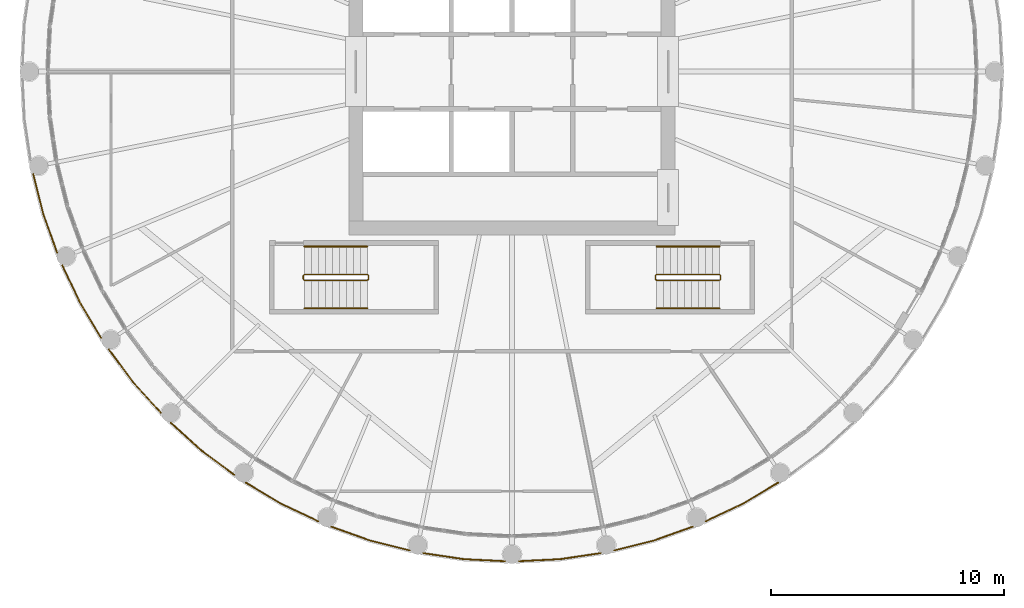
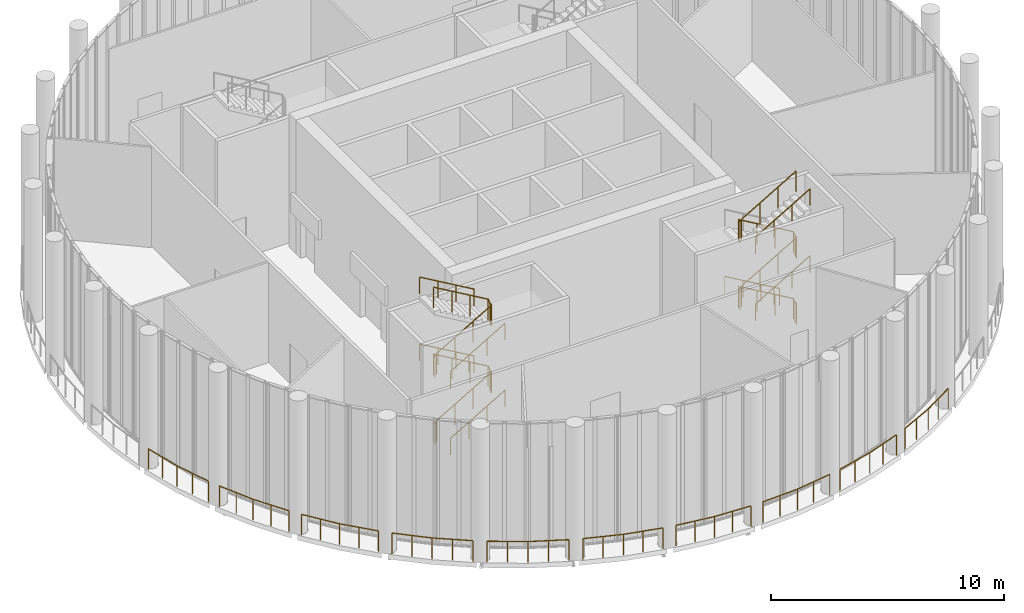
# One storey, part 19 of 21: 19 railings.
"""IFC4 building model written with IfcOpenShell, lengths in metres."""

from ifc_helpers import new_model, si_unit, direction, frame, origin, origin_2d, place, context, subcontext, project, spatial, circle, extrude, material, type_object, element, save


model = new_model("IFC4")

# Units and contexts
model_context = context("Model", 3, precision=1e-05, world=origin(), true_north=direction((0.0, 1.0)))
body_context = subcontext(model_context, "Body", "Model", "MODEL_VIEW")
ifc_project = project(units=[si_unit("LENGTHUNIT", "METRE"), si_unit("AREAUNIT", "SQUARE_METRE"), si_unit("VOLUMEUNIT", "CUBIC_METRE"), si_unit("PLANEANGLEUNIT", "RADIAN"), si_unit("MASSUNIT", "GRAM", prefix="KILO")], contexts=[model_context])

# Site, building, storey
site_placement = place(None, origin())
site = spatial("IfcSite", under=ifc_project, at=site_placement, CompositionType="ELEMENT")
building_placement = place(site_placement, origin())
building = spatial("IfcBuilding", under=site, at=building_placement, Name="Corvane Civic Tower", CompositionType="ELEMENT")
storey_placement = place(building_placement, frame((0.0, 0.0, 380.5)))
storey = spatial("IfcBuildingStorey", under=building, at=storey_placement, Name="L91", CompositionType="ELEMENT", Elevation=380.5)

# Railings
ifc_material_1 = material(Name="Steel ASTM A572 Gr 50", Category="steel")
railing_type_1 = type_object("IfcRailingType", Name="PODIUM-RL-GUARD-1100", PredefinedType="GUARDRAIL", material=ifc_material_1)
railing_1_placement = place(storey_placement, frame((0.29833984375, -20.995361328125, 0.0)))
element("IfcRailing", 1, at=railing_1_placement, inside=storey, type_object=railing_type_1, Name="Lookout gallery guard 1", PredefinedType="GUARDRAIL", context=body_context, shape_type="SweptSolid", body=[
    extrude(circle(Radius=0.02392578125, at=origin_2d()), frame((0.0, 0.0, 1.076171875), z_axis=(0.998797843582, 0.049019054017, 0.0), x_axis=(-0.049019054017, 0.998797843582, 0.0)), (0.0, 0.0, 1.0), 1.76318359375),
    extrude(circle(Radius=0.02392578125, at=origin_2d()), frame((1.760986328125, 0.08642578125, 1.076171875), z_axis=(0.989159575283, 0.146844593448, 0.0), x_axis=(-0.146844593448, 0.989159575283, 0.0)), (0.0, 0.0, 1.0), 1.763916015625),
    extrude(circle(Radius=0.02099609375, at=origin_2d()), origin(), (0.0, 0.0, 1.0), 1.052001953125),
    extrude(circle(Radius=0.02099609375, at=origin_2d()), frame((0.88037109375, 0.043212890625, 0.0)), (0.0, 0.0, 1.0), 1.052001953125),
    extrude(circle(Radius=0.02099609375, at=origin_2d()), frame((1.760986328125, 0.08642578125, 0.0)), (0.0, 0.0, 1.0), 1.052001953125),
    extrude(circle(Radius=0.02099609375, at=origin_2d()), frame((2.63330078125, 0.2158203125, 0.0)), (0.0, 0.0, 1.0), 1.052001953125),
    extrude(circle(Radius=0.02099609375, at=origin_2d()), frame((3.505859375, 0.345458984375, 0.0)), (0.0, 0.0, 1.0), 1.052001953125),
])
railing_2_placement = place(storey_placement, frame((-3.80419921875, -20.64990234375, 0.0)))
element("IfcRailing", 2, at=railing_2_placement, inside=storey, type_object=railing_type_1, Name="Lookout gallery guard 2", PredefinedType="GUARDRAIL", context=body_context, shape_type="SweptSolid", body=[
    extrude(circle(Radius=0.02392578125, at=origin_2d()), frame((0.0, 0.0, 1.076171875), z_axis=(0.989159575283, -0.146844593448, 0.0), x_axis=(0.146844593448, 0.989159575283, 0.0)), (0.0, 0.0, 1.0), 1.763916015625),
    extrude(circle(Radius=0.02392578125, at=origin_2d()), frame((1.744873046875, -0.259033203125, 1.076171875), z_axis=(0.998797843582, -0.049019054017, 0.0), x_axis=(0.049019054017, 0.998797843582, 0.0)), (0.0, 0.0, 1.0), 1.76318359375),
    extrude(circle(Radius=0.02099609375, at=origin_2d()), origin(), (0.0, 0.0, 1.0), 1.052001953125),
    extrude(circle(Radius=0.02099609375, at=origin_2d()), frame((0.87255859375, -0.12939453125, 0.0)), (0.0, 0.0, 1.0), 1.052001953125),
    extrude(circle(Radius=0.02099609375, at=origin_2d()), frame((1.744873046875, -0.259033203125, 0.0)), (0.0, 0.0, 1.0), 1.052001953125),
    extrude(circle(Radius=0.02099609375, at=origin_2d()), frame((2.62548828125, -0.30224609375, 0.0)), (0.0, 0.0, 1.0), 1.052001953125),
    extrude(circle(Radius=0.02099609375, at=origin_2d()), frame((3.505859375, -0.345458984375, 0.0)), (0.0, 0.0, 1.0), 1.052001953125),
])
railing_3_placement = place(storey_placement, frame((4.3876953125, -20.533935546875, 0.0)))
element("IfcRailing", 3, at=railing_3_placement, inside=storey, type_object=railing_type_1, Name="Lookout gallery guard 3", PredefinedType="GUARDRAIL", context=body_context, shape_type="SweptSolid", body=[
    extrude(circle(Radius=0.02392578125, at=origin_2d()), frame((0.0, 0.0, 1.076171875), z_axis=(0.970020262721, 0.243024052124, 0.0), x_axis=(-0.243024052124, 0.970020262721, 0.0)), (0.0, 0.0, 1.0), 1.76416015625),
    extrude(circle(Radius=0.02392578125, at=origin_2d()), frame((1.711181640625, 0.4287109375, 1.076171875), z_axis=(0.941531813653, 0.336924092163, 0.0), x_axis=(-0.336924092163, 0.941531813653, 0.0)), (0.0, 0.0, 1.0), 1.762939453125),
    extrude(circle(Radius=0.02099609375, at=origin_2d()), origin(), (0.0, 0.0, 1.0), 1.052001953125),
    extrude(circle(Radius=0.02099609375, at=origin_2d()), frame((0.85546875, 0.21435546875, 0.0)), (0.0, 0.0, 1.0), 1.052001953125),
    extrude(circle(Radius=0.02099609375, at=origin_2d()), frame((1.711181640625, 0.4287109375, 0.0)), (0.0, 0.0, 1.0), 1.052001953125),
    extrude(circle(Radius=0.02099609375, at=origin_2d()), frame((2.541015625, 0.7255859375, 0.0)), (0.0, 0.0, 1.0), 1.052001953125),
    extrude(circle(Radius=0.02099609375, at=origin_2d()), frame((3.37109375, 1.022705078125, 0.0)), (0.0, 0.0, 1.0), 1.052001953125),
])
railing_4_placement = place(storey_placement, frame((-7.7587890625, -19.51123046875, 0.0)))
element("IfcRailing", 4, at=railing_4_placement, inside=storey, type_object=railing_type_1, Name="Lookout gallery guard 4", PredefinedType="GUARDRAIL", context=body_context, shape_type="SweptSolid", body=[
    extrude(circle(Radius=0.02392578125, at=origin_2d()), frame((0.0, 0.0, 1.076171875), z_axis=(0.941531813653, -0.336924092163, 0.0), x_axis=(0.336924092163, 0.941531813653, 0.0)), (0.0, 0.0, 1.0), 1.762939453125),
    extrude(circle(Radius=0.02392578125, at=origin_2d()), frame((1.659912109375, -0.593994140625, 1.076171875), z_axis=(0.970020262721, -0.243024052124, 0.0), x_axis=(0.243024052124, 0.970020262721, 0.0)), (0.0, 0.0, 1.0), 1.76416015625),
    extrude(circle(Radius=0.02099609375, at=origin_2d()), origin(), (0.0, 0.0, 1.0), 1.052001953125),
    extrude(circle(Radius=0.02099609375, at=origin_2d()), frame((0.830078125, -0.296875, 0.0)), (0.0, 0.0, 1.0), 1.052001953125),
    extrude(circle(Radius=0.02099609375, at=origin_2d()), frame((1.659912109375, -0.593994140625, 0.0)), (0.0, 0.0, 1.0), 1.052001953125),
    extrude(circle(Radius=0.02099609375, at=origin_2d()), frame((2.515625, -0.808349609375, 0.0)), (0.0, 0.0, 1.0), 1.052001953125),
    extrude(circle(Radius=0.02099609375, at=origin_2d()), frame((3.37109375, -1.022705078125, 0.0)), (0.0, 0.0, 1.0), 1.052001953125),
])
railing_5_placement = place(storey_placement, frame((8.310302734375, -19.282958984375, 0.0)))
element("IfcRailing", 5, at=railing_5_placement, inside=storey, type_object=railing_type_1, Name="Lookout gallery guard 5", PredefinedType="GUARDRAIL", context=body_context, shape_type="SweptSolid", body=[
    extrude(circle(Radius=0.02392578125, at=origin_2d()), frame((0.0, 0.0, 1.076171875), z_axis=(0.903963283189, 0.427610082489, 0.0), x_axis=(-0.427610082489, 0.903963283189, 0.0)), (0.0, 0.0, 1.0), 1.76318359375),
    extrude(circle(Radius=0.02392578125, at=origin_2d()), frame((1.59375, 0.75390625, 1.076171875), z_axis=(0.857785863019, 0.514007211238, 0.0), x_axis=(-0.514007211238, 0.857785863019, 0.0)), (0.0, 0.0, 1.0), 1.76416015625),
    extrude(circle(Radius=0.02099609375, at=origin_2d()), origin(), (0.0, 0.0, 1.0), 1.052001953125),
    extrude(circle(Radius=0.02099609375, at=origin_2d()), frame((0.796875, 0.376953125, 0.0)), (0.0, 0.0, 1.0), 1.052001953125),
    extrude(circle(Radius=0.02099609375, at=origin_2d()), frame((1.59375, 0.75390625, 0.0)), (0.0, 0.0, 1.0), 1.052001953125),
    extrude(circle(Radius=0.02099609375, at=origin_2d()), frame((2.350341796875, 1.207275390625, 0.0)), (0.0, 0.0, 1.0), 1.052001953125),
    extrude(circle(Radius=0.02099609375, at=origin_2d()), frame((3.10693359375, 1.66064453125, 0.0)), (0.0, 0.0, 1.0), 1.052001953125),
])
railing_6_placement = place(storey_placement, frame((-11.417236328125, -17.622314453125, 0.0)))
element("IfcRailing", 6, at=railing_6_placement, inside=storey, type_object=railing_type_1, Name="Lookout gallery guard 6", PredefinedType="GUARDRAIL", context=body_context, shape_type="SweptSolid", body=[
    extrude(circle(Radius=0.02392578125, at=origin_2d()), frame((0.0, 0.0, 1.076171875), z_axis=(0.857785863019, -0.514007211238, 0.0), x_axis=(0.514007211238, 0.857785863019, 0.0)), (0.0, 0.0, 1.0), 1.76416015625),
    extrude(circle(Radius=0.02392578125, at=origin_2d()), frame((1.51318359375, -0.90673828125, 1.076171875), z_axis=(0.903963283189, -0.427610082489, 0.0), x_axis=(0.427610082489, 0.903963283189, 0.0)), (0.0, 0.0, 1.0), 1.76318359375),
    extrude(circle(Radius=0.02099609375, at=origin_2d()), origin(), (0.0, 0.0, 1.0), 1.052001953125),
    extrude(circle(Radius=0.02099609375, at=origin_2d()), frame((0.756591796875, -0.453369140625, 0.0)), (0.0, 0.0, 1.0), 1.052001953125),
    extrude(circle(Radius=0.02099609375, at=origin_2d()), frame((1.51318359375, -0.90673828125, 0.0)), (0.0, 0.0, 1.0), 1.052001953125),
    extrude(circle(Radius=0.02099609375, at=origin_2d()), frame((2.31005859375, -1.28369140625, 0.0)), (0.0, 0.0, 1.0), 1.052001953125),
    extrude(circle(Radius=0.02099609375, at=origin_2d()), frame((3.10693359375, -1.66064453125, 0.0)), (0.0, 0.0, 1.0), 1.052001953125),
])
railing_7_placement = place(storey_placement, frame((-14.634521484375, -15.05712890625, 0.0)))
element("IfcRailing", 7, at=railing_7_placement, inside=storey, type_object=railing_type_1, Name="Lookout gallery guard 8", PredefinedType="GUARDRAIL", context=body_context, shape_type="SweptSolid", body=[
    extrude(circle(Radius=0.02392578125, at=origin_2d()), frame((0.0, 0.0, 1.076171875), z_axis=(0.740885716185, -0.671631115682, 0.0), x_axis=(0.671631115682, 0.740885716185, 0.0)), (0.0, 0.0, 1.0), 1.7626953125),
    extrude(circle(Radius=0.02392578125, at=origin_2d()), frame((1.305908203125, -1.183837890625, 1.076171875), z_axis=(0.803177057574, -0.595740391602, 0.0), x_axis=(0.595740391602, 0.803177057574, 0.0)), (0.0, 0.0, 1.0), 1.76416015625),
    extrude(circle(Radius=0.02099609375, at=origin_2d()), origin(), (0.0, 0.0, 1.0), 1.052001953125),
    extrude(circle(Radius=0.02099609375, at=origin_2d()), frame((0.65283203125, -0.591796875, 0.0)), (0.0, 0.0, 1.0), 1.052001953125),
    extrude(circle(Radius=0.02099609375, at=origin_2d()), frame((1.305908203125, -1.183837890625, 0.0)), (0.0, 0.0, 1.0), 1.052001953125),
    extrude(circle(Radius=0.02099609375, at=origin_2d()), frame((2.014404296875, -1.70947265625, 0.0)), (0.0, 0.0, 1.0), 1.052001953125),
    extrude(circle(Radius=0.02099609375, at=origin_2d()), frame((2.722900390625, -2.23486328125, 0.0)), (0.0, 0.0, 1.0), 1.052001953125),
])
railing_8_placement = place(storey_placement, frame((-17.2919921875, -11.91162109375, 0.0)))
element("IfcRailing", 8, at=railing_8_placement, inside=storey, type_object=railing_type_1, Name="Lookout gallery guard 10", PredefinedType="GUARDRAIL", context=body_context, shape_type="SweptSolid", body=[
    extrude(circle(Radius=0.02392578125, at=origin_2d()), frame((0.0, 0.0, 1.076171875), z_axis=(0.595740391602, -0.803177057574, 0.0), x_axis=(0.803177057574, 0.595740391602, 0.0)), (0.0, 0.0, 1.0), 1.76416015625),
    extrude(circle(Radius=0.02392578125, at=origin_2d()), frame((1.051025390625, -1.4169921875, 1.076171875), z_axis=(0.671631115682, -0.740885716185, 0.0), x_axis=(0.740885716185, 0.671631115682, 0.0)), (0.0, 0.0, 1.0), 1.7626953125),
    extrude(circle(Radius=0.02099609375, at=origin_2d()), origin(), (0.0, 0.0, 1.0), 1.052001953125),
    extrude(circle(Radius=0.02099609375, at=origin_2d()), frame((0.525390625, -0.70849609375, 0.0)), (0.0, 0.0, 1.0), 1.052001953125),
    extrude(circle(Radius=0.02099609375, at=origin_2d()), frame((1.051025390625, -1.4169921875, 0.0)), (0.0, 0.0, 1.0), 1.052001953125),
    extrude(circle(Radius=0.02099609375, at=origin_2d()), frame((1.64306640625, -2.06982421875, 0.0)), (0.0, 0.0, 1.0), 1.052001953125),
    extrude(circle(Radius=0.02099609375, at=origin_2d()), frame((2.23486328125, -2.722900390625, 0.0)), (0.0, 0.0, 1.0), 1.052001953125),
])
railing_9_placement = place(storey_placement, frame((-19.282958984375, -8.310302734375, 0.0)))
element("IfcRailing", 9, at=railing_9_placement, inside=storey, type_object=railing_type_1, Name="Lookout gallery guard 12", PredefinedType="GUARDRAIL", context=body_context, shape_type="SweptSolid", body=[
    extrude(circle(Radius=0.02392578125, at=origin_2d()), frame((0.0, 0.0, 1.076171875), z_axis=(0.427610082489, -0.903963283189, 0.0), x_axis=(0.903963283189, 0.427610082489, 0.0)), (0.0, 0.0, 1.0), 1.76318359375),
    extrude(circle(Radius=0.02392578125, at=origin_2d()), frame((0.75390625, -1.59375, 1.076171875), z_axis=(0.514007211238, -0.857785863019, 0.0), x_axis=(0.857785863019, 0.514007211238, 0.0)), (0.0, 0.0, 1.0), 1.76416015625),
    extrude(circle(Radius=0.02099609375, at=origin_2d()), origin(), (0.0, 0.0, 1.0), 1.052001953125),
    extrude(circle(Radius=0.02099609375, at=origin_2d()), frame((0.376953125, -0.796875, 0.0)), (0.0, 0.0, 1.0), 1.052001953125),
    extrude(circle(Radius=0.02099609375, at=origin_2d()), frame((0.75390625, -1.59375, 0.0)), (0.0, 0.0, 1.0), 1.052001953125),
    extrude(circle(Radius=0.02099609375, at=origin_2d()), frame((1.207275390625, -2.350341796875, 0.0)), (0.0, 0.0, 1.0), 1.052001953125),
    extrude(circle(Radius=0.02099609375, at=origin_2d()), frame((1.66064453125, -3.10693359375, 0.0)), (0.0, 0.0, 1.0), 1.052001953125),
])
railing_10_placement = place(storey_placement, frame((-20.533935546875, -4.3876953125, 0.0)))
element("IfcRailing", 10, at=railing_10_placement, inside=storey, type_object=railing_type_1, Name="Lookout gallery guard 14", PredefinedType="GUARDRAIL", context=body_context, shape_type="SweptSolid", body=[
    extrude(circle(Radius=0.02392578125, at=origin_2d()), frame((0.0, 0.0, 1.076171875), z_axis=(0.243024052124, -0.970020262721, 0.0), x_axis=(0.970020262721, 0.243024052124, 0.0)), (0.0, 0.0, 1.0), 1.76416015625),
    extrude(circle(Radius=0.02392578125, at=origin_2d()), frame((0.4287109375, -1.711181640625, 1.076171875), z_axis=(0.336924092163, -0.941531813653, 0.0), x_axis=(0.941531813653, 0.336924092163, 0.0)), (0.0, 0.0, 1.0), 1.762939453125),
    extrude(circle(Radius=0.02099609375, at=origin_2d()), origin(), (0.0, 0.0, 1.0), 1.052001953125),
    extrude(circle(Radius=0.02099609375, at=origin_2d()), frame((0.21435546875, -0.85546875, 0.0)), (0.0, 0.0, 1.0), 1.052001953125),
    extrude(circle(Radius=0.02099609375, at=origin_2d()), frame((0.4287109375, -1.711181640625, 0.0)), (0.0, 0.0, 1.0), 1.052001953125),
    extrude(circle(Radius=0.02099609375, at=origin_2d()), frame((0.7255859375, -2.541015625, 0.0)), (0.0, 0.0, 1.0), 1.052001953125),
    extrude(circle(Radius=0.02099609375, at=origin_2d()), frame((1.022705078125, -3.37109375, 0.0)), (0.0, 0.0, 1.0), 1.052001953125),
])
ifc_material_2 = material(Name="Steel ASTM A572 Gr 50", Category="steel")
railing_type_2 = type_object("IfcRailingType", Name="ST-GUARD-1100", PredefinedType="GUARDRAIL", material=ifc_material_2)
railing_11_placement = place(storey_placement, frame((8.949951171875, -8.89990234375, 0.0)))
element("IfcRailing", 11, at=railing_11_placement, inside=storey, type_object=railing_type_2, Name="L91 ST2 stair guard 1", PredefinedType="GUARDRAIL", context=body_context, shape_type="SweptSolid", body=[
    extrude(circle(Radius=0.02392578125, at=origin_2d()), frame((0.0, 0.0, 1.076171875), z_axis=(0.0, 1.0, 0.0), x_axis=(-1.0, 0.0, 0.0)), (0.0, 0.0, 1.0), 0.14990234375),
    extrude(circle(Radius=0.02392578125, at=origin_2d()), frame((0.0, 0.14990234375, 1.076171875), z_axis=(-0.265065253269, 0.265065253269, 0.927081885822), x_axis=(-0.707106781187, -0.707106781187, 0.0)), (0.0, 0.0, 1.0), 0.188720703125),
    extrude(circle(Radius=0.02392578125, at=origin_2d()), frame((-0.050048828125, 0.199951171875, 1.2509765625), z_axis=(-0.863781733769, 0.0, 0.503866169142), x_axis=(0.0, -1.0, 0.0)), (0.0, 0.0, 1.0), 3.125732421875),
    extrude(circle(Radius=0.02392578125, at=origin_2d()), frame((-2.75, 0.199951171875, 2.826171875), z_axis=(-0.707106781187, -0.707106781187, 0.0), x_axis=(0.707106781187, -0.707106781187, 0.0)), (0.0, 0.0, 1.0), 0.07080078125),
    extrude(circle(Radius=0.02392578125, at=origin_2d()), frame((-2.800048828125, 0.14990234375, 2.826171875), z_axis=(0.0, -1.0, 0.0), x_axis=(1.0, 0.0, 0.0)), (0.0, 0.0, 1.0), 0.14990234375),
    extrude(circle(Radius=0.02392578125, at=origin_2d()), frame((-2.800048828125, 0.0, 2.826171875), z_axis=(0.265065253269, -0.265065253269, 0.927081885822), x_axis=(0.707106781187, 0.707106781187, 0.0)), (0.0, 0.0, 1.0), 0.188720703125),
    extrude(circle(Radius=0.02392578125, at=origin_2d()), frame((-2.75, -0.050048828125, 3.0009765625), z_axis=(0.863781733769, 0.0, 0.503866169142), x_axis=(0.0, 1.0, 0.0)), (0.0, 0.0, 1.0), 3.125732421875),
    extrude(circle(Radius=0.02392578125, at=origin_2d()), frame((-0.050048828125, -0.050048828125, 4.576171875), z_axis=(0.707106781187, 0.707106781187, 0.0), x_axis=(-0.707106781187, 0.707106781187, 0.0)), (0.0, 0.0, 1.0), 0.07080078125),
    extrude(circle(Radius=0.02392578125, at=origin_2d()), frame((0.0, 0.0, 4.576171875), z_axis=(0.0, 1.0, 0.0), x_axis=(-1.0, 0.0, 0.0)), (0.0, 0.0, 1.0), 0.14990234375),
    extrude(circle(Radius=0.02392578125, at=origin_2d()), frame((0.0, 0.14990234375, 4.576171875), z_axis=(-0.265065253269, 0.265065253269, 0.927081885822), x_axis=(-0.707106781187, -0.707106781187, 0.0)), (0.0, 0.0, 1.0), 0.188720703125),
    extrude(circle(Radius=0.02392578125, at=origin_2d()), frame((-0.050048828125, 0.199951171875, 4.7509765625), z_axis=(-0.863781733769, 0.0, 0.503866169142), x_axis=(0.0, -1.0, 0.0)), (0.0, 0.0, 1.0), 3.125732421875),
    extrude(circle(Radius=0.02392578125, at=origin_2d()), frame((-2.75, 0.199951171875, 6.326171875), z_axis=(-0.707106781187, -0.707106781187, 0.0), x_axis=(0.707106781187, -0.707106781187, 0.0)), (0.0, 0.0, 1.0), 0.07080078125),
    extrude(circle(Radius=0.02392578125, at=origin_2d()), frame((-2.800048828125, 0.14990234375, 6.326171875), z_axis=(0.0, -1.0, 0.0), x_axis=(1.0, 0.0, 0.0)), (0.0, 0.0, 1.0), 0.14990234375),
    extrude(circle(Radius=0.02392578125, at=origin_2d()), frame((-2.800048828125, 0.0, 6.326171875), z_axis=(0.265065253269, -0.265065253269, 0.927081885822), x_axis=(0.707106781187, 0.707106781187, 0.0)), (0.0, 0.0, 1.0), 0.188720703125),
    extrude(circle(Radius=0.02392578125, at=origin_2d()), frame((-2.75, -0.050048828125, 6.5009765625), z_axis=(0.863781733769, 0.0, 0.503866169142), x_axis=(0.0, 1.0, 0.0)), (0.0, 0.0, 1.0), 3.125732421875),
    extrude(circle(Radius=0.02099609375, at=origin_2d()), origin(), (0.0, 0.0, 1.0), 1.052001953125),
    extrude(circle(Radius=0.02099609375, at=origin_2d()), frame((0.0, 0.14990234375, 0.0)), (0.0, 0.0, 1.0), 1.052001953125),
    extrude(circle(Radius=0.02099609375, at=origin_2d()), frame((-0.050048828125, 0.199951171875, 0.175048828125)), (0.0, 0.0, 1.0), 1.052001953125),
    extrude(circle(Radius=0.02099609375, at=origin_2d()), frame((-0.949951171875, 0.199951171875, 0.699951171875)), (0.0, 0.0, 1.0), 1.052001953125),
    extrude(circle(Radius=0.02099609375, at=origin_2d()), frame((-1.85009765625, 0.199951171875, 1.22509765625)), (0.0, 0.0, 1.0), 1.052001953125),
    extrude(circle(Radius=0.02099609375, at=origin_2d()), frame((-2.75, 0.199951171875, 1.75)), (0.0, 0.0, 1.0), 1.052001953125),
    extrude(circle(Radius=0.02099609375, at=origin_2d()), frame((-2.800048828125, 0.14990234375, 1.75)), (0.0, 0.0, 1.0), 1.052001953125),
    extrude(circle(Radius=0.02099609375, at=origin_2d()), frame((-2.800048828125, 0.0, 1.75)), (0.0, 0.0, 1.0), 1.052001953125),
    extrude(circle(Radius=0.02099609375, at=origin_2d()), frame((-2.75, -0.050048828125, 1.925048828125)), (0.0, 0.0, 1.0), 1.052001953125),
    extrude(circle(Radius=0.02099609375, at=origin_2d()), frame((-1.85009765625, -0.050048828125, 2.449951171875)), (0.0, 0.0, 1.0), 1.052001953125),
    extrude(circle(Radius=0.02099609375, at=origin_2d()), frame((-0.949951171875, -0.050048828125, 2.97509765625)), (0.0, 0.0, 1.0), 1.052001953125),
    extrude(circle(Radius=0.02099609375, at=origin_2d()), frame((-0.050048828125, -0.050048828125, 3.5)), (0.0, 0.0, 1.0), 1.052001953125),
    extrude(circle(Radius=0.02099609375, at=origin_2d()), frame((0.0, 0.0, 3.5)), (0.0, 0.0, 1.0), 1.052001953125),
    extrude(circle(Radius=0.02099609375, at=origin_2d()), frame((0.0, 0.14990234375, 3.5)), (0.0, 0.0, 1.0), 1.052001953125),
    extrude(circle(Radius=0.02099609375, at=origin_2d()), frame((-0.050048828125, 0.199951171875, 3.675048828125)), (0.0, 0.0, 1.0), 1.052001953125),
    extrude(circle(Radius=0.02099609375, at=origin_2d()), frame((-0.949951171875, 0.199951171875, 4.199951171875)), (0.0, 0.0, 1.0), 1.052001953125),
    extrude(circle(Radius=0.02099609375, at=origin_2d()), frame((-1.85009765625, 0.199951171875, 4.72509765625)), (0.0, 0.0, 1.0), 1.052001953125),
    extrude(circle(Radius=0.02099609375, at=origin_2d()), frame((-2.75, 0.199951171875, 5.25)), (0.0, 0.0, 1.0), 1.052001953125),
    extrude(circle(Radius=0.02099609375, at=origin_2d()), frame((-2.800048828125, 0.14990234375, 5.25)), (0.0, 0.0, 1.0), 1.052001953125),
    extrude(circle(Radius=0.02099609375, at=origin_2d()), frame((-2.800048828125, 0.0, 5.25)), (0.0, 0.0, 1.0), 1.052001953125),
    extrude(circle(Radius=0.02099609375, at=origin_2d()), frame((-2.75, -0.050048828125, 5.425048828125)), (0.0, 0.0, 1.0), 1.052001953125),
    extrude(circle(Radius=0.02099609375, at=origin_2d()), frame((-1.85009765625, -0.050048828125, 5.949951171875)), (0.0, 0.0, 1.0), 1.052001953125),
    extrude(circle(Radius=0.02099609375, at=origin_2d()), frame((-0.949951171875, -0.050048828125, 6.47509765625)), (0.0, 0.0, 1.0), 1.052001953125),
    extrude(circle(Radius=0.02099609375, at=origin_2d()), frame((-0.050048828125, -0.050048828125, 7.0)), (0.0, 0.0, 1.0), 1.052001953125),
])
railing_12_placement = place(storey_placement, frame((-8.949951171875, -8.75, 0.0)))
element("IfcRailing", 12, at=railing_12_placement, inside=storey, type_object=railing_type_2, Name="L91 ST3 stair guard 1", PredefinedType="GUARDRAIL", context=body_context, shape_type="SweptSolid", body=[
    extrude(circle(Radius=0.02392578125, at=origin_2d()), frame((0.0, 0.0, 1.076171875), z_axis=(0.0, -1.0, 0.0), x_axis=(1.0, 0.0, 0.0)), (0.0, 0.0, 1.0), 0.14990234375),
    extrude(circle(Radius=0.02392578125, at=origin_2d()), frame((0.0, -0.14990234375, 1.076171875), z_axis=(0.265065253269, -0.265065253269, 0.927081885822), x_axis=(0.707106781187, 0.707106781187, 0.0)), (0.0, 0.0, 1.0), 0.188720703125),
    extrude(circle(Radius=0.02392578125, at=origin_2d()), frame((0.050048828125, -0.199951171875, 1.2509765625), z_axis=(0.863781733769, 0.0, 0.503866169142), x_axis=(0.0, 1.0, 0.0)), (0.0, 0.0, 1.0), 3.125732421875),
    extrude(circle(Radius=0.02392578125, at=origin_2d()), frame((2.75, -0.199951171875, 2.826171875), z_axis=(0.707106781187, 0.707106781187, 0.0), x_axis=(-0.707106781187, 0.707106781187, 0.0)), (0.0, 0.0, 1.0), 0.07080078125),
    extrude(circle(Radius=0.02392578125, at=origin_2d()), frame((2.800048828125, -0.14990234375, 2.826171875), z_axis=(0.0, 1.0, 0.0), x_axis=(-1.0, 0.0, 0.0)), (0.0, 0.0, 1.0), 0.14990234375),
    extrude(circle(Radius=0.02392578125, at=origin_2d()), frame((2.800048828125, 0.0, 2.826171875), z_axis=(-0.265065253269, 0.265065253269, 0.927081885822), x_axis=(-0.707106781187, -0.707106781187, 0.0)), (0.0, 0.0, 1.0), 0.188720703125),
    extrude(circle(Radius=0.02392578125, at=origin_2d()), frame((2.75, 0.050048828125, 3.0009765625), z_axis=(-0.863781733769, 0.0, 0.503866169142), x_axis=(0.0, -1.0, 0.0)), (0.0, 0.0, 1.0), 3.125732421875),
    extrude(circle(Radius=0.02392578125, at=origin_2d()), frame((0.050048828125, 0.050048828125, 4.576171875), z_axis=(-0.707106781187, -0.707106781187, 0.0), x_axis=(0.707106781187, -0.707106781187, 0.0)), (0.0, 0.0, 1.0), 0.07080078125),
    extrude(circle(Radius=0.02392578125, at=origin_2d()), frame((0.0, 0.0, 4.576171875), z_axis=(0.0, -1.0, 0.0), x_axis=(1.0, 0.0, 0.0)), (0.0, 0.0, 1.0), 0.14990234375),
    extrude(circle(Radius=0.02392578125, at=origin_2d()), frame((0.0, -0.14990234375, 4.576171875), z_axis=(0.265065253269, -0.265065253269, 0.927081885822), x_axis=(0.707106781187, 0.707106781187, 0.0)), (0.0, 0.0, 1.0), 0.188720703125),
    extrude(circle(Radius=0.02392578125, at=origin_2d()), frame((0.050048828125, -0.199951171875, 4.7509765625), z_axis=(0.863781733769, 0.0, 0.503866169142), x_axis=(0.0, 1.0, 0.0)), (0.0, 0.0, 1.0), 3.125732421875),
    extrude(circle(Radius=0.02392578125, at=origin_2d()), frame((2.75, -0.199951171875, 6.326171875), z_axis=(0.707106781187, 0.707106781187, 0.0), x_axis=(-0.707106781187, 0.707106781187, 0.0)), (0.0, 0.0, 1.0), 0.07080078125),
    extrude(circle(Radius=0.02392578125, at=origin_2d()), frame((2.800048828125, -0.14990234375, 6.326171875), z_axis=(0.0, 1.0, 0.0), x_axis=(-1.0, 0.0, 0.0)), (0.0, 0.0, 1.0), 0.14990234375),
    extrude(circle(Radius=0.02392578125, at=origin_2d()), frame((2.800048828125, 0.0, 6.326171875), z_axis=(-0.265065253269, 0.265065253269, 0.927081885822), x_axis=(-0.707106781187, -0.707106781187, 0.0)), (0.0, 0.0, 1.0), 0.188720703125),
    extrude(circle(Radius=0.02392578125, at=origin_2d()), frame((2.75, 0.050048828125, 6.5009765625), z_axis=(-0.863781733769, 0.0, 0.503866169142), x_axis=(0.0, -1.0, 0.0)), (0.0, 0.0, 1.0), 3.125732421875),
    extrude(circle(Radius=0.02099609375, at=origin_2d()), origin(), (0.0, 0.0, 1.0), 1.052001953125),
    extrude(circle(Radius=0.02099609375, at=origin_2d()), frame((0.0, -0.14990234375, 0.0)), (0.0, 0.0, 1.0), 1.052001953125),
    extrude(circle(Radius=0.02099609375, at=origin_2d()), frame((0.050048828125, -0.199951171875, 0.175048828125)), (0.0, 0.0, 1.0), 1.052001953125),
    extrude(circle(Radius=0.02099609375, at=origin_2d()), frame((0.949951171875, -0.199951171875, 0.699951171875)), (0.0, 0.0, 1.0), 1.052001953125),
    extrude(circle(Radius=0.02099609375, at=origin_2d()), frame((1.85009765625, -0.199951171875, 1.22509765625)), (0.0, 0.0, 1.0), 1.052001953125),
    extrude(circle(Radius=0.02099609375, at=origin_2d()), frame((2.75, -0.199951171875, 1.75)), (0.0, 0.0, 1.0), 1.052001953125),
    extrude(circle(Radius=0.02099609375, at=origin_2d()), frame((2.800048828125, -0.14990234375, 1.75)), (0.0, 0.0, 1.0), 1.052001953125),
    extrude(circle(Radius=0.02099609375, at=origin_2d()), frame((2.800048828125, 0.0, 1.75)), (0.0, 0.0, 1.0), 1.052001953125),
    extrude(circle(Radius=0.02099609375, at=origin_2d()), frame((2.75, 0.050048828125, 1.925048828125)), (0.0, 0.0, 1.0), 1.052001953125),
    extrude(circle(Radius=0.02099609375, at=origin_2d()), frame((1.85009765625, 0.050048828125, 2.449951171875)), (0.0, 0.0, 1.0), 1.052001953125),
    extrude(circle(Radius=0.02099609375, at=origin_2d()), frame((0.949951171875, 0.050048828125, 2.97509765625)), (0.0, 0.0, 1.0), 1.052001953125),
    extrude(circle(Radius=0.02099609375, at=origin_2d()), frame((0.050048828125, 0.050048828125, 3.5)), (0.0, 0.0, 1.0), 1.052001953125),
    extrude(circle(Radius=0.02099609375, at=origin_2d()), frame((0.0, 0.0, 3.5)), (0.0, 0.0, 1.0), 1.052001953125),
    extrude(circle(Radius=0.02099609375, at=origin_2d()), frame((0.0, -0.14990234375, 3.5)), (0.0, 0.0, 1.0), 1.052001953125),
    extrude(circle(Radius=0.02099609375, at=origin_2d()), frame((0.050048828125, -0.199951171875, 3.675048828125)), (0.0, 0.0, 1.0), 1.052001953125),
    extrude(circle(Radius=0.02099609375, at=origin_2d()), frame((0.949951171875, -0.199951171875, 4.199951171875)), (0.0, 0.0, 1.0), 1.052001953125),
    extrude(circle(Radius=0.02099609375, at=origin_2d()), frame((1.85009765625, -0.199951171875, 4.72509765625)), (0.0, 0.0, 1.0), 1.052001953125),
    extrude(circle(Radius=0.02099609375, at=origin_2d()), frame((2.75, -0.199951171875, 5.25)), (0.0, 0.0, 1.0), 1.052001953125),
    extrude(circle(Radius=0.02099609375, at=origin_2d()), frame((2.800048828125, -0.14990234375, 5.25)), (0.0, 0.0, 1.0), 1.052001953125),
    extrude(circle(Radius=0.02099609375, at=origin_2d()), frame((2.800048828125, 0.0, 5.25)), (0.0, 0.0, 1.0), 1.052001953125),
    extrude(circle(Radius=0.02099609375, at=origin_2d()), frame((2.75, 0.050048828125, 5.425048828125)), (0.0, 0.0, 1.0), 1.052001953125),
    extrude(circle(Radius=0.02099609375, at=origin_2d()), frame((1.85009765625, 0.050048828125, 5.949951171875)), (0.0, 0.0, 1.0), 1.052001953125),
    extrude(circle(Radius=0.02099609375, at=origin_2d()), frame((0.949951171875, 0.050048828125, 6.47509765625)), (0.0, 0.0, 1.0), 1.052001953125),
    extrude(circle(Radius=0.02099609375, at=origin_2d()), frame((0.050048828125, 0.050048828125, 7.0)), (0.0, 0.0, 1.0), 1.052001953125),
])
ifc_material_3 = material(Name="Steel ASTM A572 Gr 50", Category="steel")
railing_type_3 = type_object("IfcRailingType", Name="ST-HANDRAIL-900", PredefinedType="HANDRAIL", material=ifc_material_3)
railing_13_placement = place(storey_placement, frame((8.89990234375, -7.5, 0.175048828125)))
element("IfcRailing", 13, at=railing_13_placement, inside=storey, type_object=railing_type_3, Name="L91 ST2 stair handrail 1", PredefinedType="HANDRAIL", context=body_context, shape_type="SweptSolid", body=[
    extrude(circle(Radius=0.02392578125, at=origin_2d()), frame((0.0, 0.0, 0.8759765625), z_axis=(-0.863781733769, 0.0, 0.503866169142), x_axis=(0.0, -1.0, 0.0)), (0.0, 0.0, 1.0), 3.125732421875),
    extrude(circle(Radius=0.02099609375, at=origin_2d()), origin(), (0.0, 0.0, 1.0), 0.851806640625),
    extrude(circle(Radius=0.02099609375, at=origin_2d()), frame((-0.89990234375, 0.0, 0.52490234375)), (0.0, 0.0, 1.0), 0.851806640625),
    extrude(circle(Radius=0.02099609375, at=origin_2d()), frame((-1.800048828125, 0.0, 1.050048828125)), (0.0, 0.0, 1.0), 0.851806640625),
    extrude(circle(Radius=0.02099609375, at=origin_2d()), frame((-2.699951171875, 0.0, 1.574951171875)), (0.0, 0.0, 1.0), 0.851806640625),
])
for number, where, name in (
    (14, (6.199951171875, -10.14990234375, 1.925048828125), "L91 ST2 stair handrail 2"),
    (15, (6.199951171875, -10.14990234375, 5.425048828125), "L91 ST2 stair handrail 4"),
    (16, (-8.89990234375, -10.14990234375, 0.175048828125), "L91 ST3 stair handrail 1"),
):
    element("IfcRailing", number, at=place(storey_placement, frame(where)), inside=storey, type_object=railing_type_3, Name=name, PredefinedType="HANDRAIL", context=body_context, shape_type="SweptSolid", body=[
        extrude(circle(Radius=0.02392578125, at=origin_2d()), frame((0.0, 0.0, 0.8759765625), z_axis=(0.863781733769, 0.0, 0.503866169142), x_axis=(0.0, 1.0, 0.0)), (0.0, 0.0, 1.0), 3.125732421875),
        extrude(circle(Radius=0.02099609375, at=origin_2d()), origin(), (0.0, 0.0, 1.0), 0.851806640625),
        extrude(circle(Radius=0.02099609375, at=origin_2d()), frame((0.89990234375, 0.0, 0.52490234375)), (0.0, 0.0, 1.0), 0.851806640625),
        extrude(circle(Radius=0.02099609375, at=origin_2d()), frame((1.800048828125, 0.0, 1.050048828125)), (0.0, 0.0, 1.0), 0.851806640625),
        extrude(circle(Radius=0.02099609375, at=origin_2d()), frame((2.699951171875, 0.0, 1.574951171875)), (0.0, 0.0, 1.0), 0.851806640625),
    ])
railing_14_placement = place(storey_placement, frame((-6.199951171875, -7.5, 1.925048828125)))
element("IfcRailing", 17, at=railing_14_placement, inside=storey, type_object=railing_type_3, Name="L91 ST3 stair handrail 2", PredefinedType="HANDRAIL", context=body_context, shape_type="SweptSolid", body=[
    extrude(circle(Radius=0.02392578125, at=origin_2d()), frame((0.0, 0.0, 0.8759765625), z_axis=(-0.863781733769, 0.0, 0.503866169142), x_axis=(0.0, -1.0, 0.0)), (0.0, 0.0, 1.0), 3.125732421875),
    extrude(circle(Radius=0.02099609375, at=origin_2d()), origin(), (0.0, 0.0, 1.0), 0.851806640625),
    extrude(circle(Radius=0.02099609375, at=origin_2d()), frame((-0.89990234375, 0.0, 0.52490234375)), (0.0, 0.0, 1.0), 0.851806640625),
    extrude(circle(Radius=0.02099609375, at=origin_2d()), frame((-1.800048828125, 0.0, 1.050048828125)), (0.0, 0.0, 1.0), 0.851806640625),
    extrude(circle(Radius=0.02099609375, at=origin_2d()), frame((-2.699951171875, 0.0, 1.574951171875)), (0.0, 0.0, 1.0), 0.851806640625),
])
railing_15_placement = place(storey_placement, frame((-8.89990234375, -10.14990234375, 3.675048828125)))
element("IfcRailing", 18, at=railing_15_placement, inside=storey, type_object=railing_type_3, Name="L91 ST3 stair handrail 3", PredefinedType="HANDRAIL", context=body_context, shape_type="SweptSolid", body=[
    extrude(circle(Radius=0.02392578125, at=origin_2d()), frame((0.0, 0.0, 0.8759765625), z_axis=(0.863781733769, 0.0, 0.503866169142), x_axis=(0.0, 1.0, 0.0)), (0.0, 0.0, 1.0), 3.125732421875),
    extrude(circle(Radius=0.02099609375, at=origin_2d()), origin(), (0.0, 0.0, 1.0), 0.851806640625),
    extrude(circle(Radius=0.02099609375, at=origin_2d()), frame((0.89990234375, 0.0, 0.52490234375)), (0.0, 0.0, 1.0), 0.851806640625),
    extrude(circle(Radius=0.02099609375, at=origin_2d()), frame((1.800048828125, 0.0, 1.050048828125)), (0.0, 0.0, 1.0), 0.851806640625),
    extrude(circle(Radius=0.02099609375, at=origin_2d()), frame((2.699951171875, 0.0, 1.574951171875)), (0.0, 0.0, 1.0), 0.851806640625),
])
railing_16_placement = place(storey_placement, frame((-6.199951171875, -7.5, 5.425048828125)))
element("IfcRailing", 19, at=railing_16_placement, inside=storey, type_object=railing_type_3, Name="L91 ST3 stair handrail 4", PredefinedType="HANDRAIL", context=body_context, shape_type="SweptSolid", body=[
    extrude(circle(Radius=0.02392578125, at=origin_2d()), frame((0.0, 0.0, 0.8759765625), z_axis=(-0.863781733769, 0.0, 0.503866169142), x_axis=(0.0, -1.0, 0.0)), (0.0, 0.0, 1.0), 3.125732421875),
    extrude(circle(Radius=0.02099609375, at=origin_2d()), origin(), (0.0, 0.0, 1.0), 0.851806640625),
    extrude(circle(Radius=0.02099609375, at=origin_2d()), frame((-0.89990234375, 0.0, 0.52490234375)), (0.0, 0.0, 1.0), 0.851806640625),
    extrude(circle(Radius=0.02099609375, at=origin_2d()), frame((-1.800048828125, 0.0, 1.050048828125)), (0.0, 0.0, 1.0), 0.851806640625),
    extrude(circle(Radius=0.02099609375, at=origin_2d()), frame((-2.699951171875, 0.0, 1.574951171875)), (0.0, 0.0, 1.0), 0.851806640625),
])

save(model, "model.ifc")
